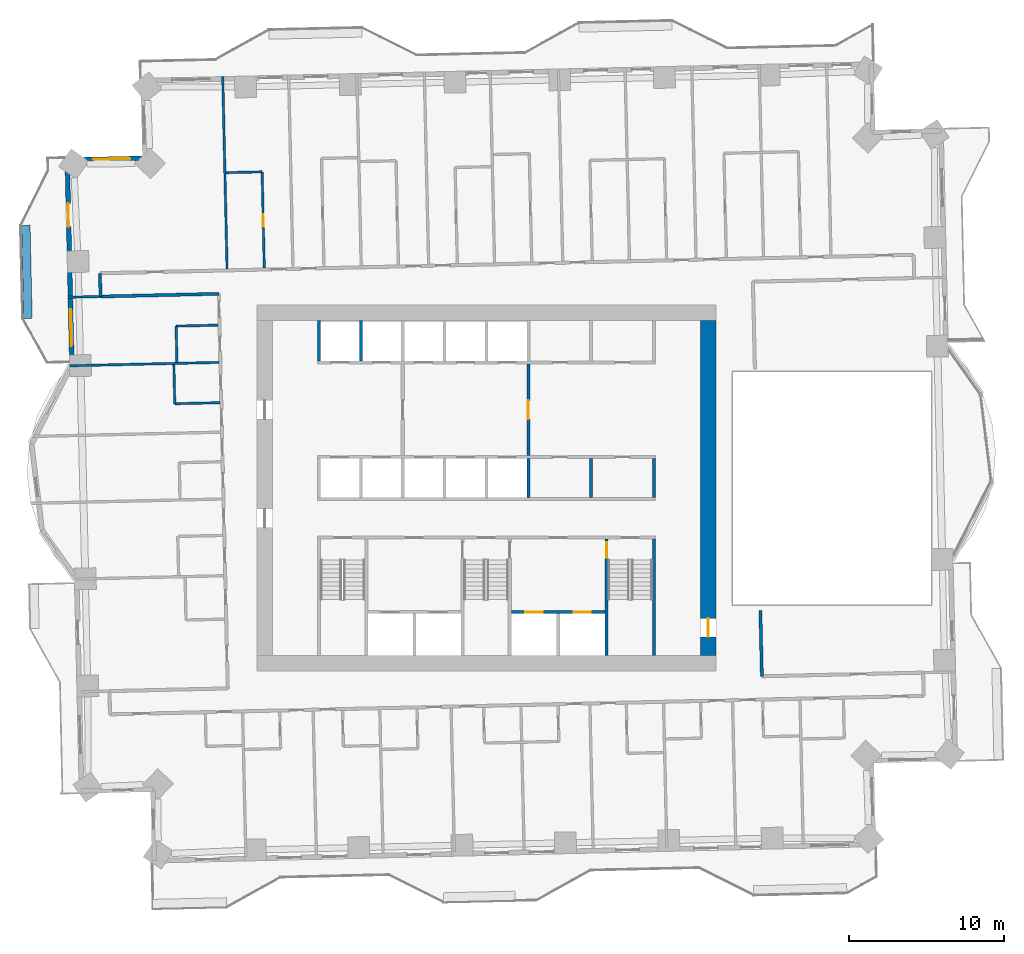
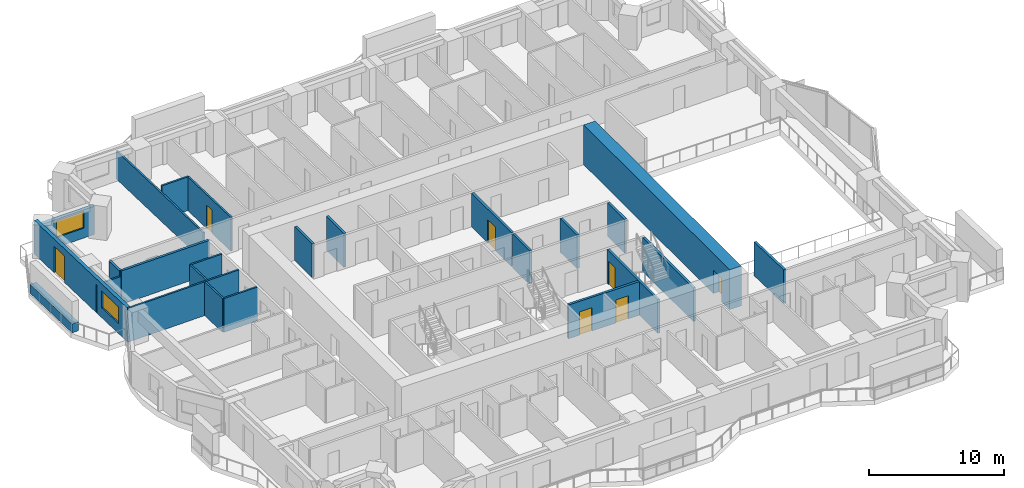
# One storey, part 10 of 17: 25 walls, 7 doors, 2 windows, 9 openings.
"""IFC4 building model written with IfcOpenShell, lengths in metres."""

from ifc_helpers import new_model, si_unit, direction, frame, frame_2d, origin, place, context, subcontext, project, spatial, rectangle, extrude, material, layer, layer_set, type_object, element, fill, save


model = new_model("IFC4")

# Units and contexts
model_context = context("Model", 3, precision=1e-05, world=origin(), true_north=direction((0.0, 1.0)))
body_context = subcontext(model_context, "Body", "Model", "MODEL_VIEW")
ifc_project = project(units=[si_unit("LENGTHUNIT", "METRE"), si_unit("AREAUNIT", "SQUARE_METRE"), si_unit("VOLUMEUNIT", "CUBIC_METRE"), si_unit("PLANEANGLEUNIT", "RADIAN"), si_unit("MASSUNIT", "GRAM", prefix="KILO")], contexts=[model_context])

# Site, building, storey
site_placement = place(None, origin())
site = spatial("IfcSite", under=ifc_project, at=site_placement, CompositionType="ELEMENT")
building_placement = place(site_placement, origin())
building = spatial("IfcBuilding", under=site, at=building_placement, Name="Mangrove Gate Tower", CompositionType="ELEMENT")
storey_placement = place(building_placement, frame((0.0, 0.0, 90.10009765625)))
storey = spatial("IfcBuildingStorey", under=building, at=storey_placement, Name="L22", CompositionType="ELEMENT", Elevation=90.10009765625)

# Wall, opening, door
ifc_material_1 = material(Name="Concrete C32/40", Category="concrete")
ifc_layer_1 = layer(ifc_material_1, 0.199951171875)
ifc_layer_set_1 = layer_set([ifc_layer_1], Name="Core lobby wall 200 C32/40")
wall_type_1 = type_object("IfcWallType", Name="Core lobby wall 200 C32/40", PredefinedType="STANDARD", material=ifc_layer_set_1)
wall_1_placement = place(storey_placement, frame((2.699951171875, 2.10009765625, 0.0), z_axis=(0.0, 0.0, 1.0), x_axis=(0.0, 1.0, 0.0)))
wall_1 = element("IfcWall", 1, at=wall_1_placement, inside=storey, type_object=wall_type_1, Name="WALL-L22-CORE-36", PredefinedType="STANDARD", context=body_context, shape_type="SweptSolid", body=[
    extrude(rectangle(XDim=5.89990234375, YDim=0.199951171875, at=frame_2d((2.949951171875, 0.0))), origin(), (0.0, 0.0, 1.0), 3.0498046875),
])
opening_1_placement = place(wall_1_placement, frame((2.35009765625, 0.0, 0.0)))
opening_1 = element("IfcOpeningElement", 2, at=opening_1_placement, cuts=wall_1, Name="Opening FL12", PredefinedType="OPENING", context=body_context, shape_type="SweptSolid", body=[
    extrude(rectangle(XDim=1.199951171875, YDim=2.10009765625, at=frame_2d((0.60009765625, 1.050048828125))), frame((0.0, 0.10986328125, 0.0), z_axis=(0.0, -1.0, 0.0), x_axis=(1.0, 0.0, 0.0)), (0.0, 0.0, 1.0), 0.219970703125),
])
ifc_material_2 = material(Name="Fire-rated steel door set", Category="steel")
door_type_1 = type_object("IfcDoorType", Name="Lobby door FD60 1200x2100", OperationType="SINGLE_SWING_LEFT", PredefinedType="DOOR", material=ifc_material_2)
door_1_placement = place(opening_1_placement, origin())
door_1 = element("IfcDoor", 3, at=door_1_placement, inside=storey, type_object=door_type_1, Name="Lobby door lift lobby partition", OperationType="SINGLE_SWING_LEFT", OverallHeight=2.10009765625, OverallWidth=1.199951171875, PredefinedType="DOOR", context=body_context, shape_type="SweptSolid", body=[
    extrude(rectangle(XDim=1.199951171875, YDim=2.10009765625, at=frame_2d((0.60009765625, 1.050048828125))), frame((0.0, 0.02490234375, 0.0), z_axis=(0.0, -1.0, 0.0), x_axis=(1.0, 0.0, 0.0)), (0.0, 0.0, 1.0), 0.050048828125),
])
fill(opening_1, door_1)

# Walls
ifc_material_3 = material(Name="Concrete C32/40", Category="concrete")
ifc_layer_2 = layer(ifc_material_3, 0.199951171875)
ifc_layer_set_2 = layer_set([ifc_layer_2], Name="Core room wall 200 C32/40")
wall_type_2 = type_object("IfcWallType", Name="Core room wall 200 C32/40", PredefinedType="STANDARD", material=ifc_layer_set_2)
for number, where, z_axis, x_axis, name in (
    (4, (6.75, -0.60009765625, 0.0), (0.0, 0.0, 1.0), (0.0, 1.0, 0.0), "WALL-L22-CORE-25"),
    (5, (10.800048828125, -0.60009765625, 0.0), (0.0, 0.0, 1.0), (0.0, 1.0, 0.0), "WALL-L22-CORE-26"),
):
    element("IfcWall", number, at=place(storey_placement, frame(where, z_axis=z_axis, x_axis=x_axis)), inside=storey, type_object=wall_type_2, Name=name, PredefinedType="STANDARD", context=body_context, shape_type="SweptSolid", body=[
        extrude(rectangle(XDim=2.5, YDim=0.199951171875, at=frame_2d((1.25, 0.0))), origin(), (0.0, 0.0, 1.0), 3.0498046875),
    ])

# Wall, openings, doors
ifc_material_4 = material(Name="Concrete C70/85", Category="concrete")
ifc_layer_3 = layer(ifc_material_4, 0.199951171875)
ifc_layer_set_3 = layer_set([ifc_layer_3], Name="Core shaft wall 200 C70/85")
wall_type_3 = type_object("IfcWallType", Name="Core shaft wall 200 C70/85", PredefinedType="SHEAR", material=ifc_layer_set_3)
wall_2_placement = place(storey_placement, frame((1.60009765625, -8.0, 0.0), z_axis=(0.0, 0.0, 1.0), x_axis=(1.0, 0.0, 0.0)))
wall_2 = element("IfcWall", 6, at=wall_2_placement, inside=storey, type_object=wall_type_3, Name="WALL-L22-CORE-17", PredefinedType="SHEAR", context=body_context, shape_type="SweptSolid", body=[
    extrude(rectangle(XDim=6.0498046875, YDim=0.199951171875, at=frame_2d((3.02490234375, 0.0))), origin(), (0.0, 0.0, 1.0), 3.0498046875),
])
opening_2_placement = place(wall_2_placement, frame((0.91259765625, 0.0, 0.0)))
opening_2 = element("IfcOpeningElement", 7, at=opening_2_placement, cuts=wall_2, Name="Opening LD", PredefinedType="OPENING", context=body_context, shape_type="SweptSolid", body=[
    extrude(rectangle(XDim=1.10009765625, YDim=2.10009765625, at=frame_2d((0.550048828125, 1.050048828125))), frame((0.0, 0.10986328125, 0.0), z_axis=(0.0, -1.0, 0.0), x_axis=(1.0, 0.0, 0.0)), (0.0, 0.0, 1.0), 0.219970703125),
])
opening_3_placement = place(wall_2_placement, frame((4.03759765625, 0.0, 0.0)))
opening_3 = element("IfcOpeningElement", 8, at=opening_3_placement, cuts=wall_2, Name="Opening LD", PredefinedType="OPENING", context=body_context, shape_type="SweptSolid", body=[
    extrude(rectangle(XDim=1.10009765625, YDim=2.10009765625, at=frame_2d((0.550048828125, 1.050048828125))), frame((0.0, 0.10986328125, 0.0), z_axis=(0.0, -1.0, 0.0), x_axis=(1.0, 0.0, 0.0)), (0.0, 0.0, 1.0), 0.219970703125),
])
ifc_material_5 = material(Name="Stainless steel 316", Category="steel")
door_type_2 = type_object("IfcDoorType", Name="Lift landing door 1100x2100", OperationType="SLIDING_TO_LEFT", PredefinedType="DOOR", material=ifc_material_5)
door_2_placement = place(opening_2_placement, origin())
door_2 = element("IfcDoor", 9, at=door_2_placement, inside=storey, type_object=door_type_2, Name="Landing door LD FFL1", OperationType="SLIDING_TO_LEFT", OverallHeight=2.10009765625, OverallWidth=1.10009765625, PredefinedType="DOOR", context=body_context, shape_type="SweptSolid", body=[
    extrude(rectangle(XDim=1.10009765625, YDim=2.10009765625, at=frame_2d((0.550048828125, 1.050048828125))), frame((0.0, 0.02490234375, 0.0), z_axis=(0.0, -1.0, 0.0), x_axis=(1.0, 0.0, 0.0)), (0.0, 0.0, 1.0), 0.050048828125),
])
fill(opening_2, door_2)
door_3_placement = place(opening_3_placement, origin())
door_3 = element("IfcDoor", 10, at=door_3_placement, inside=storey, type_object=door_type_2, Name="Landing door LD FFL2", OperationType="SLIDING_TO_LEFT", OverallHeight=2.10009765625, OverallWidth=1.10009765625, PredefinedType="DOOR", context=body_context, shape_type="SweptSolid", body=[
    extrude(rectangle(XDim=1.10009765625, YDim=2.10009765625, at=frame_2d((0.550048828125, 1.050048828125))), frame((0.0, 0.02490234375, 0.0), z_axis=(0.0, -1.0, 0.0), x_axis=(1.0, 0.0, 0.0)), (0.0, 0.0, 1.0), 0.050048828125),
])
fill(opening_3, door_3)

# Walls
wall_3_placement = place(storey_placement, frame((2.699951171875, -0.60009765625, 0.0), z_axis=(0.0, 0.0, 1.0), x_axis=(0.0, 1.0, 0.0)))
element("IfcWall", 11, at=wall_3_placement, inside=storey, type_object=wall_type_3, Name="WALL-L22-CORE-24", PredefinedType="SHEAR", context=body_context, shape_type="SweptSolid", body=[
    extrude(rectangle(XDim=2.5, YDim=0.199951171875, at=frame_2d((1.25, 0.0))), origin(), (0.0, 0.0, 1.0), 3.0498046875),
])
for number, where, z_axis, x_axis, name in (
    (12, (-10.800048828125, 8.199951171875, 0.0), (0.0, 0.0, 1.0), (0.0, 1.0, 0.0), "WALL-L22-CORE-27"),
    (13, (-8.10009765625, 8.199951171875, 0.0), (0.0, 0.0, 1.0), (0.0, 1.0, 0.0), "WALL-L22-CORE-28"),
):
    element("IfcWall", number, at=place(storey_placement, frame(where, z_axis=z_axis, x_axis=x_axis)), inside=storey, type_object=wall_type_3, Name=name, PredefinedType="SHEAR", context=body_context, shape_type="SweptSolid", body=[
        extrude(rectangle(XDim=2.60009765625, YDim=0.199951171875, at=frame_2d((1.300048828125, 0.0))), origin(), (0.0, 0.0, 1.0), 3.0498046875),
    ])

# Wall, opening, door
ifc_material_6 = material(Name="Concrete C70/85", Category="concrete")
ifc_layer_4 = layer(ifc_material_6, 0.199951171875)
ifc_layer_set_4 = layer_set([ifc_layer_4], Name="Core stair wall 200 C70/85")
wall_type_4 = type_object("IfcWallType", Name="Core stair wall 200 C70/85", PredefinedType="SHEAR", material=ifc_layer_set_4)
wall_4_placement = place(storey_placement, frame((7.75, -10.800048828125, 0.0), z_axis=(0.0, 0.0, 1.0), x_axis=(0.0, 1.0, 0.0)))
wall_4 = element("IfcWall", 14, at=wall_4_placement, inside=storey, type_object=wall_type_4, Name="WALL-L22-CORE-13", PredefinedType="SHEAR", context=body_context, shape_type="SweptSolid", body=[
    extrude(rectangle(XDim=7.5, YDim=0.199951171875, at=frame_2d((3.75, 0.0))), origin(), (0.0, 0.0, 1.0), 3.0498046875),
])
opening_4_placement = place(wall_4_placement, frame((6.300048828125, 0.0, 0.0)))
opening_4 = element("IfcOpeningElement", 15, at=opening_4_placement, cuts=wall_4, Name="Opening STD10", PredefinedType="OPENING", context=body_context, shape_type="SweptSolid", body=[
    extrude(rectangle(XDim=1.0, YDim=2.10009765625, at=frame_2d((0.5, 1.050048828125))), frame((0.0, 0.10986328125, 0.0), z_axis=(0.0, -1.0, 0.0), x_axis=(1.0, 0.0, 0.0)), (0.0, 0.0, 1.0), 0.219970703125),
])
ifc_material_7 = material(Name="Fire-rated steel door set", Category="steel")
door_type_3 = type_object("IfcDoorType", Name="Stair door FD60 1000x2100", OperationType="SINGLE_SWING_RIGHT", PredefinedType="DOOR", material=ifc_material_7)
door_4_placement = place(opening_4_placement, origin())
door_4 = element("IfcDoor", 16, at=door_4_placement, inside=storey, type_object=door_type_3, Name="Stair door Stair 3 from fire-fighting lobby", OperationType="SINGLE_SWING_RIGHT", OverallHeight=2.10009765625, OverallWidth=1.0, PredefinedType="DOOR", context=body_context, shape_type="SweptSolid", body=[
    extrude(rectangle(XDim=1.0, YDim=2.10009765625, at=frame_2d((0.5, 1.050048828125))), frame((0.0, 0.02490234375, 0.0), z_axis=(0.0, -1.0, 0.0), x_axis=(1.0, 0.0, 0.0)), (0.0, 0.0, 1.0), 0.050048828125),
])
fill(opening_4, door_4)

# Wall
wall_5_placement = place(storey_placement, frame((10.800048828125, -10.800048828125, 0.0), z_axis=(0.0, 0.0, 1.0), x_axis=(0.0, 1.0, 0.0)))
element("IfcWall", 17, at=wall_5_placement, inside=storey, type_object=wall_type_4, Name="WALL-L22-CORE-14", PredefinedType="SHEAR", context=body_context, shape_type="SweptSolid", body=[
    extrude(rectangle(XDim=7.5, YDim=0.199951171875, at=frame_2d((3.75, 0.0))), origin(), (0.0, 0.0, 1.0), 3.0498046875),
])

# Wall, opening, door
ifc_material_8 = material(Name="Concrete C70/85", Category="concrete")
ifc_layer_5 = layer(ifc_material_8, 1.0)
ifc_layer_set_5 = layer_set([ifc_layer_5], Name="Core wall 1000 C70/85")
wall_type_5 = type_object("IfcWallType", Name="Core wall 1000 C70/85", PredefinedType="SHEAR", material=ifc_layer_set_5)
wall_6_placement = place(storey_placement, frame((14.300048828125, -10.800048828125, 0.0), z_axis=(0.0, 0.0, 1.0), x_axis=(0.0, 1.0, 0.0)))
wall_6 = element("IfcWall", 18, at=wall_6_placement, inside=storey, type_object=wall_type_5, Name="WALL-L22-CORE-4", PredefinedType="SHEAR", context=body_context, shape_type="SweptSolid", body=[
    extrude(rectangle(XDim=21.60009765625, YDim=1.0, at=frame_2d((10.800048828125, 0.0))), origin(), (0.0, 0.0, 1.0), 3.599853515625),
])
opening_5_placement = place(wall_6_placement, frame((1.199951171875, 0.0, 0.0)))
opening_5 = element("IfcOpeningElement", 19, at=opening_5_placement, cuts=wall_6, Name="Opening CD", PredefinedType="OPENING", context=body_context, shape_type="SweptSolid", body=[
    extrude(rectangle(XDim=1.199951171875, YDim=2.10009765625, at=frame_2d((0.60009765625, 1.050048828125))), frame((0.0, 0.510009765625, 0.0), z_axis=(0.0, -1.0, 0.0), x_axis=(1.0, 0.0, 0.0)), (0.0, 0.0, 1.0), 1.02001953125),
])
ifc_material_9 = material(Name="Fire-rated steel door set", Category="steel")
door_type_4 = type_object("IfcDoorType", Name="Core ring door FD60 1200x2100", OperationType="DOUBLE_DOOR_SINGLE_SWING", PredefinedType="DOOR", material=ifc_material_9)
door_5_placement = place(opening_5_placement, origin())
door_5 = element("IfcDoor", 20, at=door_5_placement, inside=storey, type_object=door_type_4, Name="Core ring door E1", OperationType="DOUBLE_DOOR_SINGLE_SWING", OverallHeight=2.10009765625, OverallWidth=1.199951171875, PredefinedType="DOOR", context=body_context, shape_type="SweptSolid", body=[
    extrude(rectangle(XDim=1.199951171875, YDim=2.10009765625, at=frame_2d((0.60009765625, 1.050048828125))), frame((0.0, 0.02490234375, 0.0), z_axis=(0.0, -1.0, 0.0), x_axis=(1.0, 0.0, 0.0)), (0.0, 0.0, 1.0), 0.050048828125),
])
fill(opening_5, door_5)

# Walls
ifc_material_10 = material(Name="Gypsum board on steel stud, EI 60", Category="steel")
ifc_layer_6 = layer(ifc_material_10, 0.199951171875)
ifc_layer_set_6 = layer_set([ifc_layer_6], Name="Corridor wall EI 60")
wall_type_6 = type_object("IfcWallType", Name="Corridor wall EI 60", PredefinedType="PARTITIONING", material=ifc_layer_set_6)
wall_7_placement = place(storey_placement, frame((17.757080078125, -12.136962890625, 0.0), z_axis=(0.0, 0.0, 1.0), x_axis=(-0.022718785711, 0.999741895079, 0.0)))
element("IfcWall", 21, at=wall_7_placement, inside=storey, type_object=wall_type_6, Name="WALL-L22-036", PredefinedType="PARTITIONING", context=body_context, shape_type="SweptSolid", body=[
    extrude(rectangle(XDim=4.23388671875, YDim=0.199951171875, at=frame_2d((2.116943359375, 0.0))), origin(), (0.0, 0.0, 1.0), 3.0498046875),
])
wall_8_placement = place(storey_placement, frame((-24.889892578125, 12.35205078125, 0.0), z_axis=(0.0, 0.0, 1.0), x_axis=(-0.02279537805, 0.999740151609, 0.0)))
element("IfcWall", 22, at=wall_8_placement, inside=storey, type_object=wall_type_6, Name="WALL-L22-054", PredefinedType="PARTITIONING", context=body_context, shape_type="SweptSolid", body=[
    extrude(rectangle(XDim=1.49951171875, YDim=0.199951171875, at=frame_2d((0.749755859375, 0.0))), origin(), (0.0, 0.0, 1.0), 3.0498046875),
])
wall_9_placement = place(storey_placement, frame((-24.885986328125, 12.35205078125, 0.0), z_axis=(0.0, 0.0, 1.0), x_axis=(0.999743418763, 0.0226516366, 0.0)))
element("IfcWall", 23, at=wall_9_placement, inside=storey, type_object=wall_type_6, Name="WALL-L22-055", PredefinedType="PARTITIONING", context=body_context, shape_type="SweptSolid", body=[
    extrude(rectangle(XDim=7.630859375, YDim=0.199951171875, at=frame_2d((3.8154296875, 0.0))), origin(), (0.0, 0.0, 1.0), 3.0498046875),
])

# Wall, opening, window
ifc_material_11 = material(Name="Limestone", Category="masonry")
ifc_layer_7 = layer(ifc_material_11, 0.0400390625, Name="Limestone cladding")
ifc_material_12 = material(Name="Ventilated air gap")
ifc_layer_8 = layer(ifc_material_12, 0.0400390625, Name="Ventilated cavity")
ifc_material_13 = material(Name="Mineral wool insulation")
ifc_layer_9 = layer(ifc_material_13, 0.06005859375, Name="Insulation")
ifc_material_14 = material(Name="Breather membrane")
ifc_layer_10 = layer(ifc_material_14, 0.001953125, Name="Breather membrane")
ifc_material_15 = material(Name="Concrete C20/25 blockwork", Category="masonry")
ifc_layer_11 = layer(ifc_material_15, 0.14990234375, Name="Blockwork backing wall")
ifc_material_16 = material(Name="Gypsum plaster")
ifc_layer_12 = layer(ifc_material_16, 0.008056640625, Name="Internal plaster")
ifc_layer_set_7 = layer_set([ifc_layer_7, ifc_layer_8, ifc_layer_9, ifc_layer_10, ifc_layer_11, ifc_layer_12], Name="External wall 300 limestone cladding")
wall_type_7 = type_object("IfcWallType", Name="External wall 300 limestone cladding", PredefinedType="SOLIDWALL", material=ifc_layer_set_7)
wall_10_placement = place(storey_placement, frame((-22.037109375, 21.26904296875, 0.0), z_axis=(0.0, 0.0, 1.0), x_axis=(-0.999739992103, -0.022802372469, 0.0)))
wall_10 = element("IfcWall", 24, at=wall_10_placement, inside=storey, type_object=wall_type_7, Name="WALL-L22-N7", PredefinedType="SOLIDWALL", context=body_context, shape_type="SweptSolid", body=[
    extrude(rectangle(XDim=5.0, YDim=0.300048828125, at=frame_2d((2.5, 0.0))), origin(), (0.0, 0.0, 1.0), 2.5498046875),
])
opening_6_placement = place(wall_10_placement, frame((0.927001953125, 0.0, 0.89990234375)))
opening_6 = element("IfcOpeningElement", 25, at=opening_6_placement, cuts=wall_10, Name="Opening W2", PredefinedType="OPENING", context=body_context, shape_type="SweptSolid", body=[
    extrude(rectangle(XDim=2.39990234375, YDim=1.5, at=frame_2d((1.199951171875, 0.75))), frame((0.0, 0.159912109375, 0.0), z_axis=(0.0, -1.0, 0.0), x_axis=(1.0, 0.0, 0.0)), (0.0, 0.0, 1.0), 0.320068359375),
])
ifc_material_17 = material(Name="Aluminium frame with double-glazed low-e glass", Category="aluminium")
window_type = type_object("IfcWindowType", Name="Corner room window 2400x1500", PartitioningType="DOUBLE_PANEL_VERTICAL", PredefinedType="WINDOW", material=ifc_material_17)
window_1_placement = place(opening_6_placement, origin())
window_1 = element("IfcWindow", 26, at=window_1_placement, inside=storey, type_object=window_type, Name="WIN-L22-N7-1", OverallHeight=1.5, OverallWidth=2.39990234375, PartitioningType="DOUBLE_PANEL_VERTICAL", PredefinedType="WINDOW", context=body_context, shape_type="SweptSolid", body=[
    extrude(rectangle(XDim=2.39990234375, YDim=1.5, at=frame_2d((1.199951171875, 0.75))), frame((0.0, 0.030029296875, 0.0), z_axis=(0.0, -1.0, 0.0), x_axis=(1.0, 0.0, 0.0)), (0.0, 0.0, 1.0), 0.06005859375),
])
fill(opening_6, window_1)

# Wall, openings, door, window
wall_11_placement = place(storey_placement, frame((-27.035888671875, 21.155029296875, 0.0), z_axis=(0.0, 0.0, 1.0), x_axis=(0.022730142562, -0.999741636934, 0.0)))
wall_11 = element("IfcWall", 27, at=wall_11_placement, inside=storey, type_object=wall_type_7, Name="WALL-L22-W8", PredefinedType="SOLIDWALL", context=body_context, shape_type="SweptSolid", body=[
    extrude(rectangle(XDim=13.329345703125, YDim=0.300048828125, at=frame_2d((6.66455078125, 0.0))), origin(), (0.0, 0.0, 1.0), 3.0498046875),
])
opening_7_placement = place(wall_11_placement, frame((2.804931640625, 0.0, 0.0)))
opening_7 = element("IfcOpeningElement", 28, at=opening_7_placement, cuts=wall_11, Name="Opening BD1", PredefinedType="OPENING", context=body_context, shape_type="SweptSolid", body=[
    extrude(rectangle(XDim=1.5, YDim=2.39990234375, at=frame_2d((0.75, 1.199951171875))), frame((0.0, 0.159912109375, 0.0), z_axis=(0.0, -1.0, 0.0), x_axis=(1.0, 0.0, 0.0)), (0.0, 0.0, 1.0), 0.320068359375),
])
opening_8_placement = place(wall_11_placement, frame((9.612060546875, 0.0, 0.89990234375)))
opening_8 = element("IfcOpeningElement", 29, at=opening_8_placement, cuts=wall_11, Name="Opening W2", PredefinedType="OPENING", context=body_context, shape_type="SweptSolid", body=[
    extrude(rectangle(XDim=2.39990234375, YDim=1.5, at=frame_2d((1.199951171875, 0.75))), frame((0.0, 0.159912109375, 0.0), z_axis=(0.0, -1.0, 0.0), x_axis=(1.0, 0.0, 0.0)), (0.0, 0.0, 1.0), 0.320068359375),
])
ifc_material_18 = material(Name="Aluminium frame with laminated clear glass", Category="aluminium")
door_type_5 = type_object("IfcDoorType", Name="Balcony sliding door 1500x2400", OperationType="SLIDING_TO_LEFT", PredefinedType="DOOR", material=ifc_material_18)
door_6_placement = place(opening_7_placement, origin())
door_6 = element("IfcDoor", 30, at=door_6_placement, inside=storey, type_object=door_type_5, Name="DOOR-L22-W8-1", OperationType="SLIDING_TO_LEFT", OverallHeight=2.39990234375, OverallWidth=1.5, PredefinedType="DOOR", context=body_context, shape_type="SweptSolid", body=[
    extrude(rectangle(XDim=1.5, YDim=2.39990234375, at=frame_2d((0.75, 1.199951171875))), frame((0.0, 0.02490234375, 0.0), z_axis=(0.0, -1.0, 0.0), x_axis=(1.0, 0.0, 0.0)), (0.0, 0.0, 1.0), 0.050048828125),
])
fill(opening_7, door_6)
window_2_placement = place(opening_8_placement, origin())
window_2 = element("IfcWindow", 31, at=window_2_placement, inside=storey, type_object=window_type, Name="WIN-L22-W8-2", OverallHeight=1.5, OverallWidth=2.39990234375, PartitioningType="DOUBLE_PANEL_VERTICAL", PredefinedType="WINDOW", context=body_context, shape_type="SweptSolid", body=[
    extrude(rectangle(XDim=2.39990234375, YDim=1.5, at=frame_2d((1.199951171875, 0.75))), frame((0.0, 0.030029296875, 0.0), z_axis=(0.0, -1.0, 0.0), x_axis=(1.0, 0.0, 0.0)), (0.0, 0.0, 1.0), 0.06005859375),
])
fill(opening_8, window_2)

# Walls
ifc_material_19 = material(Name="Gypsum board on steel stud, EI 60", Category="steel")
ifc_layer_13 = layer(ifc_material_19, 0.14990234375)
ifc_layer_set_8 = layer_set([ifc_layer_13], Name="Party wall 150 EI 60")
wall_type_8 = type_object("IfcWallType", Name="Party wall 150 EI 60", PredefinedType="PARTITIONING", material=ifc_layer_set_8)
wall_12_placement = place(storey_placement, frame((-20.10107421875, 5.43408203125, 0.0), z_axis=(0.0, 0.0, 1.0), x_axis=(-0.022919108675, 0.999737322729, 0.0)))
element("IfcWall", 32, at=wall_12_placement, inside=storey, type_object=wall_type_8, Name="WALL-L22-047", PredefinedType="PARTITIONING", context=body_context, shape_type="SweptSolid", body=[
    extrude(rectangle(XDim=2.524658203125, YDim=0.14990234375, at=frame_2d((1.26220703125, 0.0))), origin(), (0.0, 0.0, 1.0), 3.0498046875),
])
wall_13_placement = place(storey_placement, frame((-20.096923828125, 5.43896484375, 0.0), z_axis=(0.0, 0.0, 1.0), x_axis=(0.999741748633, 0.022725229174, 0.0)))
element("IfcWall", 33, at=wall_13_placement, inside=storey, type_object=wall_type_8, Name="WALL-L22-048", PredefinedType="PARTITIONING", context=body_context, shape_type="SweptSolid", body=[
    extrude(rectangle(XDim=2.900634765625, YDim=0.14990234375, at=frame_2d((1.4501953125, 0.0))), origin(), (0.0, 0.0, 1.0), 3.0498046875),
])
wall_14_placement = place(storey_placement, frame((-19.9619140625, 8.112060546875, 0.0), z_axis=(0.0, 0.0, 1.0), x_axis=(-0.022781023197, 0.999740478815, 0.0)))
element("IfcWall", 34, at=wall_14_placement, inside=storey, type_object=wall_type_8, Name="WALL-L22-050", PredefinedType="PARTITIONING", context=body_context, shape_type="SweptSolid", body=[
    extrude(rectangle(XDim=2.325439453125, YDim=0.14990234375, at=frame_2d((1.16259765625, 0.0))), origin(), (0.0, 0.0, 1.0), 3.0498046875),
])
wall_15_placement = place(storey_placement, frame((-26.885009765625, 7.885009765625, 0.0), z_axis=(0.0, 0.0, 1.0), x_axis=(0.999741468995, 0.022737527832, 0.0)))
element("IfcWall", 35, at=wall_15_placement, inside=storey, type_object=wall_type_8, Name="WALL-L22-051", PredefinedType="PARTITIONING", context=body_context, shape_type="SweptSolid", body=[
    extrude(rectangle(XDim=9.63134765625, YDim=0.14990234375, at=frame_2d((4.815673828125, 0.0))), origin(), (0.0, 0.0, 1.0), 3.0498046875),
])
wall_16_placement = place(storey_placement, frame((-20.010009765625, 10.44189453125, 0.0), z_axis=(0.0, 0.0, 1.0), x_axis=(0.999744396973, 0.02260842146, 0.0)))
element("IfcWall", 36, at=wall_16_placement, inside=storey, type_object=wall_type_8, Name="WALL-L22-052", PredefinedType="PARTITIONING", context=body_context, shape_type="SweptSolid", body=[
    extrude(rectangle(XDim=2.69970703125, YDim=0.14990234375, at=frame_2d((1.349853515625, 0.0))), origin(), (0.0, 0.0, 1.0), 3.0498046875),
])
wall_17_placement = place(storey_placement, frame((-26.985107421875, 12.303955078125, 0.0), z_axis=(0.0, 0.0, 1.0), x_axis=(0.999738589876, 0.02286376854, 0.0)))
element("IfcWall", 37, at=wall_17_placement, inside=storey, type_object=wall_type_8, Name="WALL-L22-053", PredefinedType="PARTITIONING", context=body_context, shape_type="SweptSolid", body=[
    extrude(rectangle(XDim=2.103515625, YDim=0.14990234375, at=frame_2d((1.0517578125, 0.0))), origin(), (0.0, 0.0, 1.0), 2.5498046875),
])
wall_18_placement = place(storey_placement, frame((-16.72802734375, 14.136962890625, 0.0), z_axis=(0.0, 0.0, 1.0), x_axis=(-0.022661475803, 0.999743195783, 0.0)))
element("IfcWall", 38, at=wall_18_placement, inside=storey, type_object=wall_type_8, Name="WALL-L22-060", PredefinedType="PARTITIONING", context=body_context, shape_type="SweptSolid", body=[
    extrude(rectangle(XDim=12.400146484375, YDim=0.14990234375, at=frame_2d((6.2001953125, 0.0))), origin(), (0.0, 0.0, 1.0), 2.5498046875),
])

# Wall, opening, door
wall_19_placement = place(storey_placement, frame((-14.3291015625, 14.19189453125, 0.0), z_axis=(0.0, 0.0, 1.0), x_axis=(-0.022564860101, 0.999745381129, 0.0)))
wall_19 = element("IfcWall", 39, at=wall_19_placement, inside=storey, type_object=wall_type_8, Name="WALL-L22-061", PredefinedType="PARTITIONING", context=body_context, shape_type="SweptSolid", body=[
    extrude(rectangle(XDim=6.199462890625, YDim=0.14990234375, at=frame_2d((3.099609375, 0.0))), origin(), (0.0, 0.0, 1.0), 3.0498046875),
])
opening_9_placement = place(wall_19_placement, frame((2.64990234375, 0.0, 0.0)))
opening_9 = element("IfcOpeningElement", 40, at=opening_9_placement, cuts=wall_19, Name="Opening ED", PredefinedType="OPENING", context=body_context, shape_type="SweptSolid", body=[
    extrude(rectangle(XDim=0.800048828125, YDim=2.10009765625, at=frame_2d((0.39990234375, 1.050048828125))), frame((0.0, 0.0849609375, 0.0), z_axis=(0.0, -1.0, 0.0), x_axis=(1.0, 0.0, 0.0)), (0.0, 0.0, 1.0), 0.169921875),
])
ifc_material_20 = material(Name="Timber door leaf", Category="wood")
door_type_6 = type_object("IfcDoorType", Name="En-suite door 800", OperationType="SINGLE_SWING_LEFT", PredefinedType="DOOR", material=ifc_material_20)
door_7_placement = place(opening_9_placement, origin())
door_7 = element("IfcDoor", 41, at=door_7_placement, inside=storey, type_object=door_type_6, Name="DOOR-L22-ENS-c517", OperationType="SINGLE_SWING_LEFT", OverallHeight=2.10009765625, OverallWidth=0.800048828125, PredefinedType="DOOR", context=body_context, shape_type="SweptSolid", body=[
    extrude(rectangle(XDim=0.800048828125, YDim=2.10009765625, at=frame_2d((0.39990234375, 1.050048828125))), frame((0.0, 0.02490234375, 0.0), z_axis=(0.0, -1.0, 0.0), x_axis=(1.0, 0.0, 0.0)), (0.0, 0.0, 1.0), 0.050048828125),
])
fill(opening_9, door_7)

# Walls
wall_20_placement = place(storey_placement, frame((-16.7900390625, 20.337890625, 0.0), z_axis=(0.0, 0.0, 1.0), x_axis=(0.999749954681, 0.022361308448, 0.0)))
element("IfcWall", 42, at=wall_20_placement, inside=storey, type_object=wall_type_8, Name="WALL-L22-079", PredefinedType="PARTITIONING", context=body_context, shape_type="SweptSolid", body=[
    extrude(rectangle(XDim=2.325439453125, YDim=0.14990234375, at=frame_2d((1.16259765625, 0.0))), origin(), (0.0, 0.0, 1.0), 3.0498046875),
])
ifc_material_21 = material(Name="Concrete C32/40", Category="concrete")
ifc_layer_14 = layer(ifc_material_21, 0.199951171875, Name="Planter trough wall")
ifc_material_22 = material(Name="Bituminous waterproofing membrane")
ifc_layer_15 = layer(ifc_material_22, 0.0048828125, Name="Waterproofing")
ifc_material_23 = material(Name="Drainage board and gravel")
ifc_layer_16 = layer(ifc_material_23, 0.044921875, Name="Drainage layer")
ifc_material_24 = material(Name="Planting soil")
ifc_layer_17 = layer(ifc_material_24, 0.300048828125, Name="Growing medium")
ifc_layer_set_9 = layer_set([ifc_layer_14, ifc_layer_15, ifc_layer_16, ifc_layer_17], Name="Planter wall 550 C32/40")
wall_type_9 = type_object("IfcWallType", Name="Planter wall 550 C32/40", PredefinedType="USERDEFINED", material=ifc_layer_set_9)
wall_21_placement = place(storey_placement, frame((-29.570068359375, 10.945068359375, 0.0), z_axis=(0.0, 0.0, 1.0), x_axis=(-0.022665943652, 0.999743094499, 0.0)))
element("IfcWall", 43, at=wall_21_placement, inside=storey, type_object=wall_type_9, Name="PLANTER L22 W0.1", ObjectType="PLANTER", PredefinedType="USERDEFINED", context=body_context, shape_type="SweptSolid", body=[
    extrude(rectangle(XDim=5.99951171875, YDim=0.550048828125, at=frame_2d((2.999755859375, 0.0))), origin(), (0.0, 0.0, 1.0), 0.7998046875),
])

save(model, "model.ifc")
